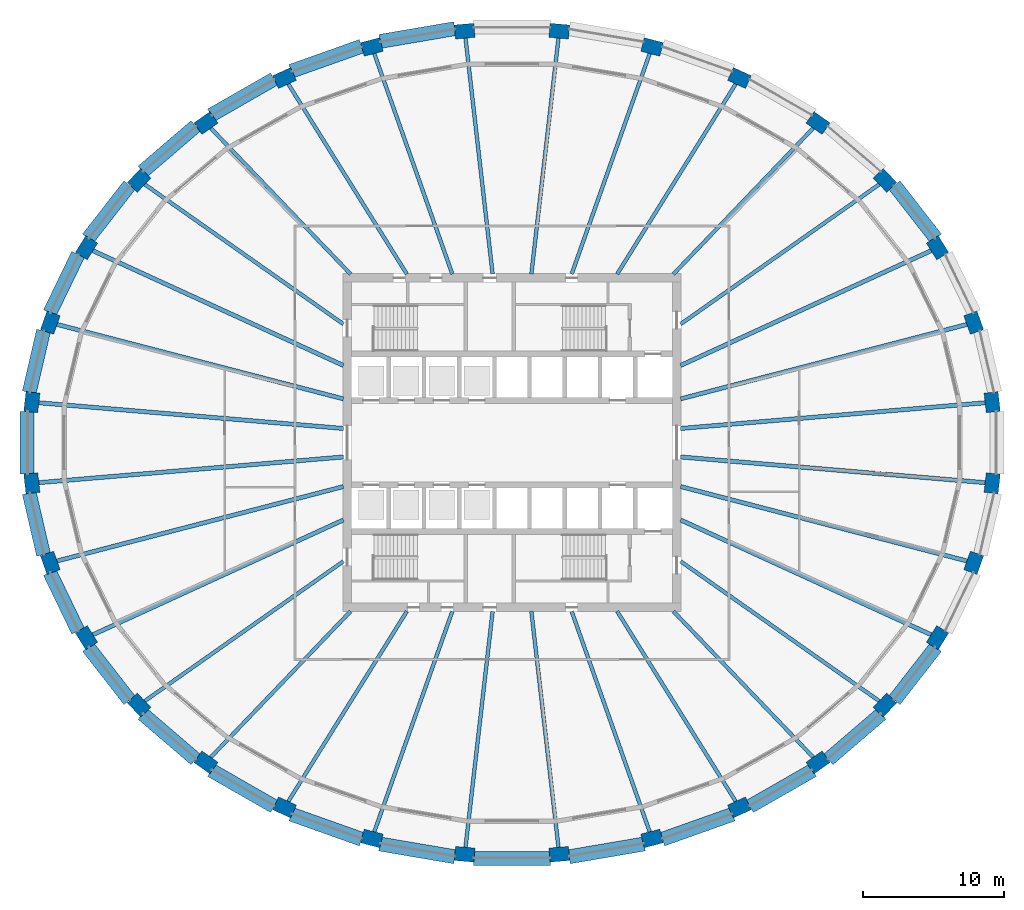
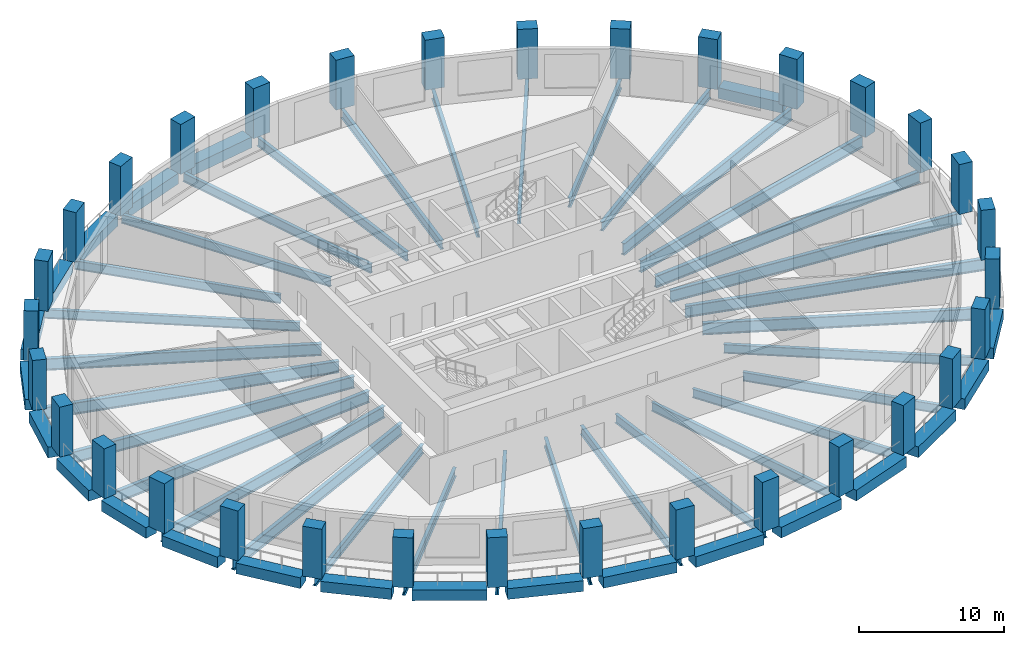
# One storey, part 1 of 10: 54 beams, 32 columns.
"""IFC4 building model written with IfcOpenShell, lengths in metres."""

from ifc_helpers import new_model, si_unit, direction, frame, origin, origin_2d, place, context, subcontext, project, spatial, rectangle, i_section, extrude, material, material_profile, profile_set, type_object, element, save


model = new_model("IFC4")

# Units and contexts
model_context = context("Model", 3, precision=1e-05, world=origin(), true_north=direction((0.0, 1.0)))
body_context = subcontext(model_context, "Body", "Model", "MODEL_VIEW")
ifc_project = project(units=[si_unit("LENGTHUNIT", "METRE"), si_unit("AREAUNIT", "SQUARE_METRE"), si_unit("VOLUMEUNIT", "CUBIC_METRE"), si_unit("PLANEANGLEUNIT", "RADIAN"), si_unit("MASSUNIT", "GRAM", prefix="KILO")], contexts=[model_context])

# Site, building, storey
site_placement = place(None, origin())
site = spatial("IfcSite", under=ifc_project, at=site_placement, CompositionType="ELEMENT")
building_placement = place(site_placement, origin())
building = spatial("IfcBuilding", under=site, at=building_placement, Name="Halqa Exchange Tower", CompositionType="ELEMENT")
storey_placement = place(building_placement, frame((0.0, 0.0, 138.10009765625)))
storey = spatial("IfcBuildingStorey", under=building, at=storey_placement, Name="L31", CompositionType="ELEMENT", Elevation=138.10009765625)

# Columns
ifc_material_1 = material(Name="Concrete C70/85", Category="concrete")
ifc_material_profile_1 = material_profile(ifc_material_1, rectangle(XDim=1.39990234375, YDim=1.0, at=origin_2d()), Name="1400 x 1000")
ifc_profile_set_1 = profile_set([ifc_material_profile_1], Name="Concrete C70/85")
column_type = type_object("IfcColumnType", Name="RC ring column 1400 x 1000 C70/85", PredefinedType="COLUMN", material=ifc_profile_set_1)
for number, where, z_axis, x_axis, name in (
    (1, (34.09814453125, 2.878662109375, 0.0), (0.0, 0.0, 1.0), (-0.114158655897, 0.993462531394, 0.0), "Ring column 1"),
    (2, (32.787841796875, 8.525146484375, 0.0), (0.0, 0.0, 1.0), (-0.33362916957, 0.942704395456, 0.0), "Ring column 2"),
    (3, (30.21728515625, 13.84423828125, 0.0), (0.0, 0.0, 1.0), (-0.529137534311, 0.848536074533, 0.0), "Ring column 3"),
    (4, (26.48583984375, 18.631103515625, 0.0), (0.0, 0.0, 1.0), (-0.691573569977, 0.722306027463, 0.0), "Ring column 4"),
    (5, (21.736328125, 22.7021484375, 0.0), (0.0, 0.0, 1.0), (-0.817907783846, 0.57534933486, 0.0), "Ring column 5"),
    (6, (16.151611328125, 25.900634765625, 0.0), (0.0, 0.0, 1.0), (-0.909127095833, 0.416518815449, 0.0), "Ring column 6"),
    (7, (9.946044921875, 28.10400390625, 0.0), (0.0, 0.0, 1.0), (-0.967819503571, 0.251645402317, 0.0), "Ring column 7"),
    (8, (3.3583984375, 29.22705078125, 0.0), (0.0, 0.0, 1.0), (-0.996455372165, 0.084123072248, 0.0), "Ring column 8"),
    (9, (-3.3583984375, 29.22705078125, 0.0), (0.0, 0.0, 1.0), (-0.996455372165, -0.084123072248, 0.0), "Ring column 9"),
    (10, (-9.946044921875, 28.10400390625, 0.0), (0.0, 0.0, 1.0), (-0.967819503571, -0.251645402317, 0.0), "Ring column 10"),
    (11, (-16.151611328125, 25.900634765625, 0.0), (0.0, 0.0, 1.0), (-0.909127095833, -0.416518815449, 0.0), "Ring column 11"),
    (12, (-21.736328125, 22.7021484375, 0.0), (0.0, 0.0, 1.0), (-0.817907783846, -0.57534933486, 0.0), "Ring column 12"),
    (13, (-26.48583984375, 18.631103515625, 0.0), (0.0, 0.0, 1.0), (-0.691573569977, -0.722306027463, 0.0), "Ring column 13"),
    (14, (-30.21728515625, 13.84423828125, 0.0), (0.0, 0.0, 1.0), (-0.529137534311, -0.848536074533, 0.0), "Ring column 14"),
    (15, (-32.787841796875, 8.525146484375, 0.0), (0.0, 0.0, 1.0), (-0.33362916957, -0.942704395456, 0.0), "Ring column 15"),
    (16, (-34.09814453125, 2.878662109375, 0.0), (0.0, 0.0, 1.0), (-0.114158655897, -0.993462531394, 0.0), "Ring column 16"),
    (17, (-34.09814453125, -2.878662109375, 0.0), (0.0, 0.0, 1.0), (0.114158655897, -0.993462531394, 0.0), "Ring column 17"),
    (18, (-32.787841796875, -8.525146484375, 0.0), (0.0, 0.0, 1.0), (0.33362916957, -0.942704395456, 0.0), "Ring column 18"),
    (19, (-30.21728515625, -13.84423828125, 0.0), (0.0, 0.0, 1.0), (0.529137534311, -0.848536074533, 0.0), "Ring column 19"),
    (20, (-26.48583984375, -18.631103515625, 0.0), (0.0, 0.0, 1.0), (0.691573569977, -0.722306027463, 0.0), "Ring column 20"),
    (21, (-21.736328125, -22.7021484375, 0.0), (0.0, 0.0, 1.0), (0.817907783846, -0.57534933486, 0.0), "Ring column 21"),
    (22, (-16.151611328125, -25.900634765625, 0.0), (0.0, 0.0, 1.0), (0.909127095833, -0.416518815449, 0.0), "Ring column 22"),
    (23, (-9.946044921875, -28.10400390625, 0.0), (0.0, 0.0, 1.0), (0.967819503571, -0.251645402317, 0.0), "Ring column 23"),
    (24, (-3.3583984375, -29.22705078125, 0.0), (0.0, 0.0, 1.0), (0.996455372165, -0.084123072248, 0.0), "Ring column 24"),
    (25, (3.3583984375, -29.22705078125, 0.0), (0.0, 0.0, 1.0), (0.996455372165, 0.084123072248, 0.0), "Ring column 25"),
    (26, (9.946044921875, -28.10400390625, 0.0), (0.0, 0.0, 1.0), (0.967819503571, 0.251645402317, 0.0), "Ring column 26"),
    (27, (16.151611328125, -25.900634765625, 0.0), (0.0, 0.0, 1.0), (0.909127095833, 0.416518815449, 0.0), "Ring column 27"),
    (28, (21.736328125, -22.7021484375, 0.0), (0.0, 0.0, 1.0), (0.817907783846, 0.57534933486, 0.0), "Ring column 28"),
    (29, (26.48583984375, -18.631103515625, 0.0), (0.0, 0.0, 1.0), (0.691573569977, 0.722306027463, 0.0), "Ring column 29"),
    (30, (30.21728515625, -13.84423828125, 0.0), (0.0, 0.0, 1.0), (0.529137534311, 0.848536074533, 0.0), "Ring column 30"),
    (31, (32.787841796875, -8.525146484375, 0.0), (0.0, 0.0, 1.0), (0.33362916957, 0.942704395456, 0.0), "Ring column 31"),
    (32, (34.09814453125, -2.878662109375, 0.0), (0.0, 0.0, 1.0), (0.114158655897, 0.993462531394, 0.0), "Ring column 32"),
):
    element("IfcColumn", number, at=place(storey_placement, frame(where, z_axis=z_axis, x_axis=x_axis)), inside=storey, type_object=column_type, Name=name, PredefinedType="COLUMN", context=body_context, shape_type="SweptSolid", body=[
        extrude(rectangle(XDim=1.39990234375, YDim=1.0, at=origin_2d()), origin(), (0.0, 0.0, 1.0), 4.199951171875),
    ])

# Beams
ifc_material_2 = material(Name="Steel S355", Category="steel")
ifc_material_profile_2 = material_profile(ifc_material_2, i_section(OverallWidth=0.300048828125, OverallDepth=0.989990234375, WebThickness=0.0166015625, FlangeThickness=0.031005859375, FilletRadius=0.030029296875, at=origin_2d()), Name="HEA 1000")
ifc_profile_set_2 = profile_set([ifc_material_profile_2], Name="Steel S355")
beam_type_1 = type_object("IfcBeamType", Name="Floor beam HEA 1000", PredefinedType="BEAM", material=ifc_profile_set_2)
beam_1_placement = place(storey_placement, frame((11.972412109375, 1.0107421875, -0.795166015625), z_axis=(0.996454963728, 0.084127910124, 0.0), x_axis=(-0.084127910124, 0.996454963728, 0.0)))
element("IfcBeam", 33, at=beam_1_placement, inside=storey, type_object=beam_type_1, Name="Radial beam 1", PredefinedType="BEAM", context=body_context, shape_type="SweptSolid", body=[
    extrude(i_section(OverallWidth=0.300048828125, OverallDepth=0.989990234375, WebThickness=0.0166015625, FlangeThickness=0.031005859375, FilletRadius=0.030029296875, at=origin_2d()), origin(), (0.0, 0.0, 1.0), 22.17431640625),
])
beam_2_placement = place(storey_placement, frame((11.97119140625, 3.112548828125, -0.795166015625), z_axis=(0.967819682417, 0.251644714483, 0.0), x_axis=(-0.251644714483, 0.967819682417, 0.0)))
element("IfcBeam", 34, at=beam_2_placement, inside=storey, type_object=beam_type_1, Name="Radial beam 2", PredefinedType="BEAM", context=body_context, shape_type="SweptSolid", body=[
    extrude(i_section(OverallWidth=0.300048828125, OverallDepth=0.989990234375, WebThickness=0.0166015625, FlangeThickness=0.031005859375, FilletRadius=0.030029296875, at=origin_2d()), origin(), (0.0, 0.0, 1.0), 21.472900390625),
])
for number, where, z_axis, x_axis, name in (
    (35, (11.972412109375, 5.485107421875, -0.795166015625), (0.909127347391, 0.416518266377, 0.0), (-0.416518266377, 0.909127347391, 0.0), "Radial beam 3"),
    (36, (-11.972412109375, 5.485107421875, -0.795166015625), (-0.909127347391, 0.416518266377, 0.0), (-0.416518266377, -0.909127347391, 0.0), "Radial beam 14"),
):
    element("IfcBeam", number, at=place(storey_placement, frame(where, z_axis=z_axis, x_axis=x_axis)), inside=storey, type_object=beam_type_1, Name=name, PredefinedType="BEAM", context=body_context, shape_type="SweptSolid", body=[
        extrude(i_section(OverallWidth=0.300048828125, OverallDepth=0.989990234375, WebThickness=0.0166015625, FlangeThickness=0.031005859375, FilletRadius=0.030029296875, at=origin_2d()), origin(), (0.0, 0.0, 1.0), 20.0244140625),
    ])
beam_3_placement = place(storey_placement, frame((-11.97119140625, 3.112548828125, -0.795166015625), z_axis=(-0.967819682417, 0.251644714483, 0.0), x_axis=(-0.251644714483, -0.967819682417, 0.0)))
element("IfcBeam", 37, at=beam_3_placement, inside=storey, type_object=beam_type_1, Name="Radial beam 15", PredefinedType="BEAM", context=body_context, shape_type="SweptSolid", body=[
    extrude(i_section(OverallWidth=0.300048828125, OverallDepth=0.989990234375, WebThickness=0.0166015625, FlangeThickness=0.031005859375, FilletRadius=0.030029296875, at=origin_2d()), origin(), (0.0, 0.0, 1.0), 21.472900390625),
])
for number, where, z_axis, x_axis, name in (
    (38, (-11.972412109375, 1.0107421875, -0.795166015625), (-0.996454963728, 0.084127910124, 0.0), (-0.084127910124, -0.996454963728, 0.0), "Radial beam 16"),
    (39, (-11.972412109375, -1.0107421875, -0.795166015625), (-0.996454963728, -0.084127910124, 0.0), (0.084127910124, -0.996454963728, 0.0), "Radial beam 17"),
):
    element("IfcBeam", number, at=place(storey_placement, frame(where, z_axis=z_axis, x_axis=x_axis)), inside=storey, type_object=beam_type_1, Name=name, PredefinedType="BEAM", context=body_context, shape_type="SweptSolid", body=[
        extrude(i_section(OverallWidth=0.300048828125, OverallDepth=0.989990234375, WebThickness=0.0166015625, FlangeThickness=0.031005859375, FilletRadius=0.030029296875, at=origin_2d()), origin(), (0.0, 0.0, 1.0), 22.17431640625),
    ])
beam_4_placement = place(storey_placement, frame((-11.97119140625, -3.112548828125, -0.795166015625), z_axis=(-0.967819682417, -0.251644714483, 0.0), x_axis=(0.251644714483, -0.967819682417, 0.0)))
element("IfcBeam", 40, at=beam_4_placement, inside=storey, type_object=beam_type_1, Name="Radial beam 18", PredefinedType="BEAM", context=body_context, shape_type="SweptSolid", body=[
    extrude(i_section(OverallWidth=0.300048828125, OverallDepth=0.989990234375, WebThickness=0.0166015625, FlangeThickness=0.031005859375, FilletRadius=0.030029296875, at=origin_2d()), origin(), (0.0, 0.0, 1.0), 21.472900390625),
])
for number, where, z_axis, x_axis, name in (
    (41, (-11.972412109375, -5.485107421875, -0.795166015625), (-0.909127347391, -0.416518266377, 0.0), (0.416518266377, -0.909127347391, 0.0), "Radial beam 19"),
    (42, (11.972412109375, -5.485107421875, -0.795166015625), (0.909127347391, -0.416518266377, 0.0), (0.416518266377, 0.909127347391, 0.0), "Radial beam 30"),
):
    element("IfcBeam", number, at=place(storey_placement, frame(where, z_axis=z_axis, x_axis=x_axis)), inside=storey, type_object=beam_type_1, Name=name, PredefinedType="BEAM", context=body_context, shape_type="SweptSolid", body=[
        extrude(i_section(OverallWidth=0.300048828125, OverallDepth=0.989990234375, WebThickness=0.0166015625, FlangeThickness=0.031005859375, FilletRadius=0.030029296875, at=origin_2d()), origin(), (0.0, 0.0, 1.0), 20.0244140625),
    ])
beam_5_placement = place(storey_placement, frame((11.97119140625, -3.112548828125, -0.795166015625), z_axis=(0.967819682417, -0.251644714483, 0.0), x_axis=(0.251644714483, 0.967819682417, 0.0)))
element("IfcBeam", 43, at=beam_5_placement, inside=storey, type_object=beam_type_1, Name="Radial beam 31", PredefinedType="BEAM", context=body_context, shape_type="SweptSolid", body=[
    extrude(i_section(OverallWidth=0.300048828125, OverallDepth=0.989990234375, WebThickness=0.0166015625, FlangeThickness=0.031005859375, FilletRadius=0.030029296875, at=origin_2d()), origin(), (0.0, 0.0, 1.0), 21.472900390625),
])
beam_6_placement = place(storey_placement, frame((11.972412109375, -1.0107421875, -0.795166015625), z_axis=(0.996454963728, -0.084127910124, 0.0), x_axis=(0.084127910124, 0.996454963728, 0.0)))
element("IfcBeam", 44, at=beam_6_placement, inside=storey, type_object=beam_type_1, Name="Radial beam 32", PredefinedType="BEAM", context=body_context, shape_type="SweptSolid", body=[
    extrude(i_section(OverallWidth=0.300048828125, OverallDepth=0.989990234375, WebThickness=0.0166015625, FlangeThickness=0.031005859375, FilletRadius=0.030029296875, at=origin_2d()), origin(), (0.0, 0.0, 1.0), 22.17431640625),
])
ifc_material_profile_3 = material_profile(ifc_material_2, i_section(OverallWidth=0.264892578125, OverallDepth=0.7529296875, WebThickness=0.01318359375, FlangeThickness=0.01708984375, FilletRadius=0.01708984375, at=origin_2d()), Name="IPE 750x147")
ifc_profile_set_3 = profile_set([ifc_material_profile_3], Name="Steel S355")
beam_type_2 = type_object("IfcBeamType", Name="Floor beam IPE 750x147", PredefinedType="BEAM", material=ifc_profile_set_3)
beam_7_placement = place(storey_placement, frame((11.97216796875, 8.421630859375, -0.676513671875), z_axis=(0.817909837256, 0.575346415753, 0.0), x_axis=(-0.575346415753, 0.817909837256, 0.0)))
element("IfcBeam", 45, at=beam_7_placement, inside=storey, type_object=beam_type_2, Name="Radial beam 4", PredefinedType="BEAM", context=body_context, shape_type="SweptSolid", body=[
    extrude(i_section(OverallWidth=0.264892578125, OverallDepth=0.7529296875, WebThickness=0.01318359375, FlangeThickness=0.01708984375, FilletRadius=0.01708984375, at=origin_2d()), origin(), (0.0, 0.0, 1.0), 17.6923828125),
])
beam_8_placement = place(storey_placement, frame((11.462890625, 11.97216796875, -0.676513671875), z_axis=(0.691574796758, 0.722304852876, 0.0), x_axis=(-0.722304852876, 0.691574796758, 0.0)))
element("IfcBeam", 46, at=beam_8_placement, inside=storey, type_object=beam_type_2, Name="Radial beam 5", PredefinedType="BEAM", context=body_context, shape_type="SweptSolid", body=[
    extrude(i_section(OverallWidth=0.264892578125, OverallDepth=0.7529296875, WebThickness=0.01318359375, FlangeThickness=0.01708984375, FilletRadius=0.01708984375, at=origin_2d()), origin(), (0.0, 0.0, 1.0), 14.79296875),
])
beam_9_placement = place(storey_placement, frame((7.4658203125, 11.972412109375, -0.676513671875), z_axis=(0.529140645794, 0.848534134239, 0.0), x_axis=(-0.848534134239, 0.529140645794, 0.0)))
element("IfcBeam", 47, at=beam_9_placement, inside=storey, type_object=beam_type_2, Name="Radial beam 6", PredefinedType="BEAM", context=body_context, shape_type="SweptSolid", body=[
    extrude(i_section(OverallWidth=0.264892578125, OverallDepth=0.7529296875, WebThickness=0.01318359375, FlangeThickness=0.01708984375, FilletRadius=0.01708984375, at=origin_2d()), origin(), (0.0, 0.0, 1.0), 16.343505859375),
])
beam_10_placement = place(storey_placement, frame((4.23681640625, 11.9716796875, -0.676513671875), z_axis=(0.333628809797, 0.942704522782, 0.0), x_axis=(-0.942704522782, 0.333628809797, 0.0)))
element("IfcBeam", 48, at=beam_10_placement, inside=storey, type_object=beam_type_2, Name="Radial beam 7", PredefinedType="BEAM", context=body_context, shape_type="SweptSolid", body=[
    extrude(i_section(OverallWidth=0.264892578125, OverallDepth=0.7529296875, WebThickness=0.01318359375, FlangeThickness=0.01708984375, FilletRadius=0.01708984375, at=origin_2d()), origin(), (0.0, 0.0, 1.0), 17.036376953125),
])
for number, where, z_axis, x_axis, name in (
    (49, (1.375732421875, 11.972900390625, -0.676513671875), (0.114151906381, 0.993463306957, 0.0), (-0.993463306957, 0.114151906381, 0.0), "Radial beam 8"),
    (50, (-1.375732421875, 11.972900390625, -0.676513671875), (-0.114151906381, 0.993463306957, 0.0), (-0.993463306957, -0.114151906381, 0.0), "Radial beam 9"),
):
    element("IfcBeam", number, at=place(storey_placement, frame(where, z_axis=z_axis, x_axis=x_axis)), inside=storey, type_object=beam_type_2, Name=name, PredefinedType="BEAM", context=body_context, shape_type="SweptSolid", body=[
        extrude(i_section(OverallWidth=0.264892578125, OverallDepth=0.7529296875, WebThickness=0.01318359375, FlangeThickness=0.01708984375, FilletRadius=0.01708984375, at=origin_2d()), origin(), (0.0, 0.0, 1.0), 17.28955078125),
    ])
beam_11_placement = place(storey_placement, frame((-4.23681640625, 11.9716796875, -0.676513671875), z_axis=(-0.333628809797, 0.942704522782, 0.0), x_axis=(-0.942704522782, -0.333628809797, 0.0)))
element("IfcBeam", 51, at=beam_11_placement, inside=storey, type_object=beam_type_2, Name="Radial beam 10", PredefinedType="BEAM", context=body_context, shape_type="SweptSolid", body=[
    extrude(i_section(OverallWidth=0.264892578125, OverallDepth=0.7529296875, WebThickness=0.01318359375, FlangeThickness=0.01708984375, FilletRadius=0.01708984375, at=origin_2d()), origin(), (0.0, 0.0, 1.0), 17.036376953125),
])
beam_12_placement = place(storey_placement, frame((-7.4658203125, 11.972412109375, -0.676513671875), z_axis=(-0.529140645794, 0.848534134239, 0.0), x_axis=(-0.848534134239, -0.529140645794, 0.0)))
element("IfcBeam", 52, at=beam_12_placement, inside=storey, type_object=beam_type_2, Name="Radial beam 11", PredefinedType="BEAM", context=body_context, shape_type="SweptSolid", body=[
    extrude(i_section(OverallWidth=0.264892578125, OverallDepth=0.7529296875, WebThickness=0.01318359375, FlangeThickness=0.01708984375, FilletRadius=0.01708984375, at=origin_2d()), origin(), (0.0, 0.0, 1.0), 16.343505859375),
])
beam_13_placement = place(storey_placement, frame((-11.462890625, 11.97216796875, -0.676513671875), z_axis=(-0.691574796758, 0.722304852876, 0.0), x_axis=(-0.722304852876, -0.691574796758, 0.0)))
element("IfcBeam", 53, at=beam_13_placement, inside=storey, type_object=beam_type_2, Name="Radial beam 12", PredefinedType="BEAM", context=body_context, shape_type="SweptSolid", body=[
    extrude(i_section(OverallWidth=0.264892578125, OverallDepth=0.7529296875, WebThickness=0.01318359375, FlangeThickness=0.01708984375, FilletRadius=0.01708984375, at=origin_2d()), origin(), (0.0, 0.0, 1.0), 14.79296875),
])
for number, where, z_axis, x_axis, name in (
    (54, (-11.97216796875, 8.421630859375, -0.676513671875), (-0.817909837256, 0.575346415753, 0.0), (-0.575346415753, -0.817909837256, 0.0), "Radial beam 13"),
    (55, (-11.97216796875, -8.421630859375, -0.676513671875), (-0.817909837256, -0.575346415753, 0.0), (0.575346415753, -0.817909837256, 0.0), "Radial beam 20"),
):
    element("IfcBeam", number, at=place(storey_placement, frame(where, z_axis=z_axis, x_axis=x_axis)), inside=storey, type_object=beam_type_2, Name=name, PredefinedType="BEAM", context=body_context, shape_type="SweptSolid", body=[
        extrude(i_section(OverallWidth=0.264892578125, OverallDepth=0.7529296875, WebThickness=0.01318359375, FlangeThickness=0.01708984375, FilletRadius=0.01708984375, at=origin_2d()), origin(), (0.0, 0.0, 1.0), 17.6923828125),
    ])
beam_14_placement = place(storey_placement, frame((-11.462890625, -11.97216796875, -0.676513671875), z_axis=(-0.691574796758, -0.722304852876, 0.0), x_axis=(0.722304852876, -0.691574796758, 0.0)))
element("IfcBeam", 56, at=beam_14_placement, inside=storey, type_object=beam_type_2, Name="Radial beam 21", PredefinedType="BEAM", context=body_context, shape_type="SweptSolid", body=[
    extrude(i_section(OverallWidth=0.264892578125, OverallDepth=0.7529296875, WebThickness=0.01318359375, FlangeThickness=0.01708984375, FilletRadius=0.01708984375, at=origin_2d()), origin(), (0.0, 0.0, 1.0), 14.79296875),
])
beam_15_placement = place(storey_placement, frame((-7.4658203125, -11.972412109375, -0.676513671875), z_axis=(-0.529140645794, -0.848534134239, 0.0), x_axis=(0.848534134239, -0.529140645794, 0.0)))
element("IfcBeam", 57, at=beam_15_placement, inside=storey, type_object=beam_type_2, Name="Radial beam 22", PredefinedType="BEAM", context=body_context, shape_type="SweptSolid", body=[
    extrude(i_section(OverallWidth=0.264892578125, OverallDepth=0.7529296875, WebThickness=0.01318359375, FlangeThickness=0.01708984375, FilletRadius=0.01708984375, at=origin_2d()), origin(), (0.0, 0.0, 1.0), 16.343505859375),
])
beam_16_placement = place(storey_placement, frame((-4.23681640625, -11.9716796875, -0.676513671875), z_axis=(-0.333628809797, -0.942704522782, 0.0), x_axis=(0.942704522782, -0.333628809797, 0.0)))
element("IfcBeam", 58, at=beam_16_placement, inside=storey, type_object=beam_type_2, Name="Radial beam 23", PredefinedType="BEAM", context=body_context, shape_type="SweptSolid", body=[
    extrude(i_section(OverallWidth=0.264892578125, OverallDepth=0.7529296875, WebThickness=0.01318359375, FlangeThickness=0.01708984375, FilletRadius=0.01708984375, at=origin_2d()), origin(), (0.0, 0.0, 1.0), 17.036376953125),
])
for number, where, z_axis, x_axis, name in (
    (59, (-1.375732421875, -11.972900390625, -0.676513671875), (-0.114151906381, -0.993463306957, 0.0), (0.993463306957, -0.114151906381, 0.0), "Radial beam 24"),
    (60, (1.375732421875, -11.972900390625, -0.676513671875), (0.114151906381, -0.993463306957, 0.0), (0.993463306957, 0.114151906381, 0.0), "Radial beam 25"),
):
    element("IfcBeam", number, at=place(storey_placement, frame(where, z_axis=z_axis, x_axis=x_axis)), inside=storey, type_object=beam_type_2, Name=name, PredefinedType="BEAM", context=body_context, shape_type="SweptSolid", body=[
        extrude(i_section(OverallWidth=0.264892578125, OverallDepth=0.7529296875, WebThickness=0.01318359375, FlangeThickness=0.01708984375, FilletRadius=0.01708984375, at=origin_2d()), origin(), (0.0, 0.0, 1.0), 17.28955078125),
    ])
beam_17_placement = place(storey_placement, frame((4.23681640625, -11.9716796875, -0.676513671875), z_axis=(0.333628809797, -0.942704522782, 0.0), x_axis=(0.942704522782, 0.333628809797, 0.0)))
element("IfcBeam", 61, at=beam_17_placement, inside=storey, type_object=beam_type_2, Name="Radial beam 26", PredefinedType="BEAM", context=body_context, shape_type="SweptSolid", body=[
    extrude(i_section(OverallWidth=0.264892578125, OverallDepth=0.7529296875, WebThickness=0.01318359375, FlangeThickness=0.01708984375, FilletRadius=0.01708984375, at=origin_2d()), origin(), (0.0, 0.0, 1.0), 17.036376953125),
])
beam_18_placement = place(storey_placement, frame((7.4658203125, -11.972412109375, -0.676513671875), z_axis=(0.529140645794, -0.848534134239, 0.0), x_axis=(0.848534134239, 0.529140645794, 0.0)))
element("IfcBeam", 62, at=beam_18_placement, inside=storey, type_object=beam_type_2, Name="Radial beam 27", PredefinedType="BEAM", context=body_context, shape_type="SweptSolid", body=[
    extrude(i_section(OverallWidth=0.264892578125, OverallDepth=0.7529296875, WebThickness=0.01318359375, FlangeThickness=0.01708984375, FilletRadius=0.01708984375, at=origin_2d()), origin(), (0.0, 0.0, 1.0), 16.343505859375),
])
beam_19_placement = place(storey_placement, frame((11.462890625, -11.97216796875, -0.676513671875), z_axis=(0.691574796758, -0.722304852876, 0.0), x_axis=(0.722304852876, 0.691574796758, 0.0)))
element("IfcBeam", 63, at=beam_19_placement, inside=storey, type_object=beam_type_2, Name="Radial beam 28", PredefinedType="BEAM", context=body_context, shape_type="SweptSolid", body=[
    extrude(i_section(OverallWidth=0.264892578125, OverallDepth=0.7529296875, WebThickness=0.01318359375, FlangeThickness=0.01708984375, FilletRadius=0.01708984375, at=origin_2d()), origin(), (0.0, 0.0, 1.0), 14.79296875),
])
beam_20_placement = place(storey_placement, frame((11.97216796875, -8.421630859375, -0.676513671875), z_axis=(0.817909837256, -0.575346415753, 0.0), x_axis=(0.575346415753, 0.817909837256, 0.0)))
element("IfcBeam", 64, at=beam_20_placement, inside=storey, type_object=beam_type_2, Name="Radial beam 29", PredefinedType="BEAM", context=body_context, shape_type="SweptSolid", body=[
    extrude(i_section(OverallWidth=0.264892578125, OverallDepth=0.7529296875, WebThickness=0.01318359375, FlangeThickness=0.01708984375, FilletRadius=0.01708984375, at=origin_2d()), origin(), (0.0, 0.0, 1.0), 17.6923828125),
])
ifc_material_3 = material(Name="Concrete C60/75", Category="concrete")
ifc_material_profile_4 = material_profile(ifc_material_3, rectangle(XDim=1.0, YDim=0.89990234375, at=origin_2d()), Name="1000 x 900")
ifc_profile_set_4 = profile_set([ifc_material_profile_4], Name="Concrete C60/75")
beam_type_3 = type_object("IfcBeamType", Name="RC spandrel beam 1000 x 900 C60/75", PredefinedType="SPANDREL", material=ifc_profile_set_4)
beam_21_placement = place(storey_placement, frame((30.103515625, 14.515380859375, -0.4501953125), z_axis=(-0.614778344406, 0.78869993486, 0.0), x_axis=(-0.78869993486, -0.614778344406, 0.0)))
element("IfcBeam", 65, at=beam_21_placement, inside=storey, type_object=beam_type_3, Name="Spandrel 3", PredefinedType="SPANDREL", context=body_context, shape_type="SweptSolid", body=[
    extrude(rectangle(XDim=1.0, YDim=0.89990234375, at=origin_2d()), origin(), (0.0, 0.0, 1.0), 4.77978515625),
])
beam_22_placement = place(storey_placement, frame((-4.0576171875, 29.405517578125, -0.4501953125), z_axis=(-0.985773716271, -0.168077899527, 0.0), x_axis=(0.168077899527, -0.985773716271, 0.0)))
element("IfcBeam", 66, at=beam_22_placement, inside=storey, type_object=beam_type_3, Name="Spandrel 9", PredefinedType="SPANDREL", context=body_context, shape_type="SweptSolid", body=[
    extrude(rectangle(XDim=1.0, YDim=0.89990234375, at=origin_2d()), origin(), (0.0, 0.0, 1.0), 5.400634765625),
])
beam_23_placement = place(storey_placement, frame((-10.680908203125, 28.158935546875, -0.4501953125), z_axis=(-0.9423560926, -0.334611707415, 0.0), x_axis=(0.334611707415, -0.9423560926, 0.0)))
element("IfcBeam", 67, at=beam_23_placement, inside=storey, type_object=beam_type_3, Name="Spandrel 10", PredefinedType="SPANDREL", context=body_context, shape_type="SweptSolid", body=[
    extrude(rectangle(XDim=1.0, YDim=0.89990234375, at=origin_2d()), origin(), (0.0, 0.0, 1.0), 5.301513671875),
])
beam_24_placement = place(storey_placement, frame((-16.897705078125, 25.824462890625, -0.4501953125), z_axis=(-0.867738128513, -0.497021669874, 0.0), x_axis=(0.497021669874, -0.867738128513, 0.0)))
element("IfcBeam", 68, at=beam_24_placement, inside=storey, type_object=beam_type_3, Name="Spandrel 11", PredefinedType="SPANDREL", context=body_context, shape_type="SweptSolid", body=[
    extrude(rectangle(XDim=1.0, YDim=0.89990234375, at=origin_2d()), origin(), (0.0, 0.0, 1.0), 5.1513671875),
])
beam_25_placement = place(storey_placement, frame((-22.465087890625, 22.489990234375, -0.4501953125), z_axis=(-0.759270476271, -0.650775186884, 0.0), x_axis=(0.650775186884, -0.759270476271, 0.0)))
element("IfcBeam", 69, at=beam_25_placement, inside=storey, type_object=beam_type_3, Name="Spandrel 12", PredefinedType="SPANDREL", context=body_context, shape_type="SweptSolid", body=[
    extrude(rectangle(XDim=1.0, YDim=0.89990234375, at=origin_2d()), origin(), (0.0, 0.0, 1.0), 4.968505859375),
])
beam_26_placement = place(storey_placement, frame((-27.1650390625, 18.28515625, -0.4501953125), z_axis=(-0.614778344406, -0.78869993486, 0.0), x_axis=(0.78869993486, -0.614778344406, 0.0)))
element("IfcBeam", 70, at=beam_26_placement, inside=storey, type_object=beam_type_3, Name="Spandrel 13", PredefinedType="SPANDREL", context=body_context, shape_type="SweptSolid", body=[
    extrude(rectangle(XDim=1.0, YDim=0.89990234375, at=origin_2d()), origin(), (0.0, 0.0, 1.0), 4.77978515625),
])
beam_27_placement = place(storey_placement, frame((-30.812744140625, 13.37451171875, -0.4501953125), z_axis=(-0.435133641471, -0.900365877885, 0.0), x_axis=(0.900365877885, -0.435133641471, 0.0)))
element("IfcBeam", 71, at=beam_27_placement, inside=storey, type_object=beam_type_3, Name="Spandrel 14", PredefinedType="SPANDREL", context=body_context, shape_type="SweptSolid", body=[
    extrude(rectangle(XDim=1.0, YDim=0.89990234375, at=origin_2d()), origin(), (0.0, 0.0, 1.0), 4.615478515625),
])
beam_28_placement = place(storey_placement, frame((-33.268310546875, 7.95068359375, -0.4501953125), z_axis=(-0.226051594905, -0.974115330154, 0.0), x_axis=(0.974115330154, -0.226051594905, 0.0)))
element("IfcBeam", 72, at=beam_28_placement, inside=storey, type_object=beam_type_3, Name="Spandrel 15", PredefinedType="SPANDREL", context=body_context, shape_type="SweptSolid", body=[
    extrude(rectangle(XDim=1.0, YDim=0.89990234375, at=origin_2d()), origin(), (0.0, 0.0, 1.0), 4.50146484375),
])
beam_29_placement = place(storey_placement, frame((-34.438720703125, 2.2314453125, -0.4501953125), z_axis=(0.0, -1.0, 0.0), x_axis=(1.0, 0.0, 0.0)))
element("IfcBeam", 73, at=beam_29_placement, inside=storey, type_object=beam_type_3, Name="Spandrel 16", PredefinedType="SPANDREL", context=body_context, shape_type="SweptSolid", body=[
    extrude(rectangle(XDim=1.0, YDim=0.89990234375, at=origin_2d()), origin(), (0.0, 0.0, 1.0), 4.462890625),
])
beam_30_placement = place(storey_placement, frame((-34.285888671875, -3.565673828125, -0.4501953125), z_axis=(0.226051594905, -0.974115330154, 0.0), x_axis=(0.974115330154, 0.226051594905, 0.0)))
element("IfcBeam", 74, at=beam_30_placement, inside=storey, type_object=beam_type_3, Name="Spandrel 17", PredefinedType="SPANDREL", context=body_context, shape_type="SweptSolid", body=[
    extrude(rectangle(XDim=1.0, YDim=0.89990234375, at=origin_2d()), origin(), (0.0, 0.0, 1.0), 4.50146484375),
])
beam_31_placement = place(storey_placement, frame((-32.821044921875, -9.218994140625, -0.4501953125), z_axis=(0.435133641471, -0.900365877885, 0.0), x_axis=(0.900365877885, 0.435133641471, 0.0)))
element("IfcBeam", 75, at=beam_31_placement, inside=storey, type_object=beam_type_3, Name="Spandrel 18", PredefinedType="SPANDREL", context=body_context, shape_type="SweptSolid", body=[
    extrude(rectangle(XDim=1.0, YDim=0.89990234375, at=origin_2d()), origin(), (0.0, 0.0, 1.0), 4.615478515625),
])
beam_32_placement = place(storey_placement, frame((-30.103515625, -14.515380859375, -0.4501953125), z_axis=(0.614778344406, -0.78869993486, 0.0), x_axis=(0.78869993486, 0.614778344406, 0.0)))
element("IfcBeam", 76, at=beam_32_placement, inside=storey, type_object=beam_type_3, Name="Spandrel 19", PredefinedType="SPANDREL", context=body_context, shape_type="SweptSolid", body=[
    extrude(rectangle(XDim=1.0, YDim=0.89990234375, at=origin_2d()), origin(), (0.0, 0.0, 1.0), 4.77978515625),
])
beam_33_placement = place(storey_placement, frame((-26.237548828125, -19.256591796875, -0.4501953125), z_axis=(0.759270476271, -0.650775186884, 0.0), x_axis=(0.650775186884, 0.759270476271, 0.0)))
element("IfcBeam", 77, at=beam_33_placement, inside=storey, type_object=beam_type_3, Name="Spandrel 20", PredefinedType="SPANDREL", context=body_context, shape_type="SweptSolid", body=[
    extrude(rectangle(XDim=1.0, YDim=0.89990234375, at=origin_2d()), origin(), (0.0, 0.0, 1.0), 4.968505859375),
])
beam_34_placement = place(storey_placement, frame((-21.36767578125, -23.26416015625, -0.4501953125), z_axis=(0.867738128513, -0.497021669874, 0.0), x_axis=(0.497021669874, 0.867738128513, 0.0)))
element("IfcBeam", 78, at=beam_34_placement, inside=storey, type_object=beam_type_3, Name="Spandrel 21", PredefinedType="SPANDREL", context=body_context, shape_type="SweptSolid", body=[
    extrude(rectangle(XDim=1.0, YDim=0.89990234375, at=origin_2d()), origin(), (0.0, 0.0, 1.0), 5.1513671875),
])
beam_35_placement = place(storey_placement, frame((-15.6767578125, -26.385009765625, -0.4501953125), z_axis=(0.9423560926, -0.334611707415, 0.0), x_axis=(0.334611707415, 0.9423560926, 0.0)))
element("IfcBeam", 79, at=beam_35_placement, inside=storey, type_object=beam_type_3, Name="Spandrel 22", PredefinedType="SPANDREL", context=body_context, shape_type="SweptSolid", body=[
    extrude(rectangle(XDim=1.0, YDim=0.89990234375, at=origin_2d()), origin(), (0.0, 0.0, 1.0), 5.301513671875),
])
beam_36_placement = place(storey_placement, frame((-9.38134765625, -28.497802734375, -0.4501953125), z_axis=(0.985773716271, -0.168077899527, 0.0), x_axis=(0.168077899527, 0.985773716271, 0.0)))
element("IfcBeam", 80, at=beam_36_placement, inside=storey, type_object=beam_type_3, Name="Spandrel 23", PredefinedType="SPANDREL", context=body_context, shape_type="SweptSolid", body=[
    extrude(rectangle(XDim=1.0, YDim=0.89990234375, at=origin_2d()), origin(), (0.0, 0.0, 1.0), 5.400634765625),
])
beam_37_placement = place(storey_placement, frame((-2.716796875, -29.518798828125, -0.4501953125), z_axis=(1.0, 0.0, 0.0), x_axis=(0.0, 1.0, 0.0)))
element("IfcBeam", 81, at=beam_37_placement, inside=storey, type_object=beam_type_3, Name="Spandrel 24", PredefinedType="SPANDREL", context=body_context, shape_type="SweptSolid", body=[
    extrude(rectangle(XDim=1.0, YDim=0.89990234375, at=origin_2d()), origin(), (0.0, 0.0, 1.0), 5.43359375),
])
beam_38_placement = place(storey_placement, frame((4.0576171875, -29.405517578125, -0.4501953125), z_axis=(0.985773716271, 0.168077899527, 0.0), x_axis=(-0.168077899527, 0.985773716271, 0.0)))
element("IfcBeam", 82, at=beam_38_placement, inside=storey, type_object=beam_type_3, Name="Spandrel 25", PredefinedType="SPANDREL", context=body_context, shape_type="SweptSolid", body=[
    extrude(rectangle(XDim=1.0, YDim=0.89990234375, at=origin_2d()), origin(), (0.0, 0.0, 1.0), 5.400634765625),
])
beam_39_placement = place(storey_placement, frame((10.680908203125, -28.158935546875, -0.4501953125), z_axis=(0.9423560926, 0.334611707415, 0.0), x_axis=(-0.334611707415, 0.9423560926, 0.0)))
element("IfcBeam", 83, at=beam_39_placement, inside=storey, type_object=beam_type_3, Name="Spandrel 26", PredefinedType="SPANDREL", context=body_context, shape_type="SweptSolid", body=[
    extrude(rectangle(XDim=1.0, YDim=0.89990234375, at=origin_2d()), origin(), (0.0, 0.0, 1.0), 5.301513671875),
])
beam_40_placement = place(storey_placement, frame((16.897705078125, -25.824462890625, -0.4501953125), z_axis=(0.867738128513, 0.497021669874, 0.0), x_axis=(-0.497021669874, 0.867738128513, 0.0)))
element("IfcBeam", 84, at=beam_40_placement, inside=storey, type_object=beam_type_3, Name="Spandrel 27", PredefinedType="SPANDREL", context=body_context, shape_type="SweptSolid", body=[
    extrude(rectangle(XDim=1.0, YDim=0.89990234375, at=origin_2d()), origin(), (0.0, 0.0, 1.0), 5.1513671875),
])
beam_41_placement = place(storey_placement, frame((22.465087890625, -22.489990234375, -0.4501953125), z_axis=(0.759270476271, 0.650775186884, 0.0), x_axis=(-0.650775186884, 0.759270476271, 0.0)))
element("IfcBeam", 85, at=beam_41_placement, inside=storey, type_object=beam_type_3, Name="Spandrel 28", PredefinedType="SPANDREL", context=body_context, shape_type="SweptSolid", body=[
    extrude(rectangle(XDim=1.0, YDim=0.89990234375, at=origin_2d()), origin(), (0.0, 0.0, 1.0), 4.968505859375),
])
beam_42_placement = place(storey_placement, frame((27.1650390625, -18.28515625, -0.4501953125), z_axis=(0.614778344406, 0.78869993486, 0.0), x_axis=(-0.78869993486, 0.614778344406, 0.0)))
element("IfcBeam", 86, at=beam_42_placement, inside=storey, type_object=beam_type_3, Name="Spandrel 29", PredefinedType="SPANDREL", context=body_context, shape_type="SweptSolid", body=[
    extrude(rectangle(XDim=1.0, YDim=0.89990234375, at=origin_2d()), origin(), (0.0, 0.0, 1.0), 4.77978515625),
])

save(model, "model.ifc")
